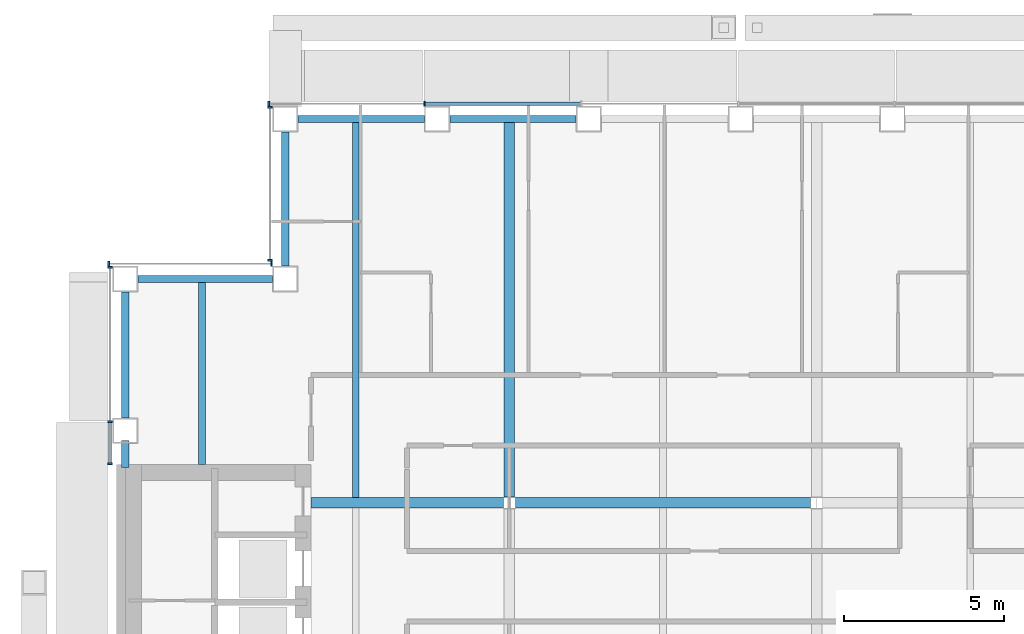
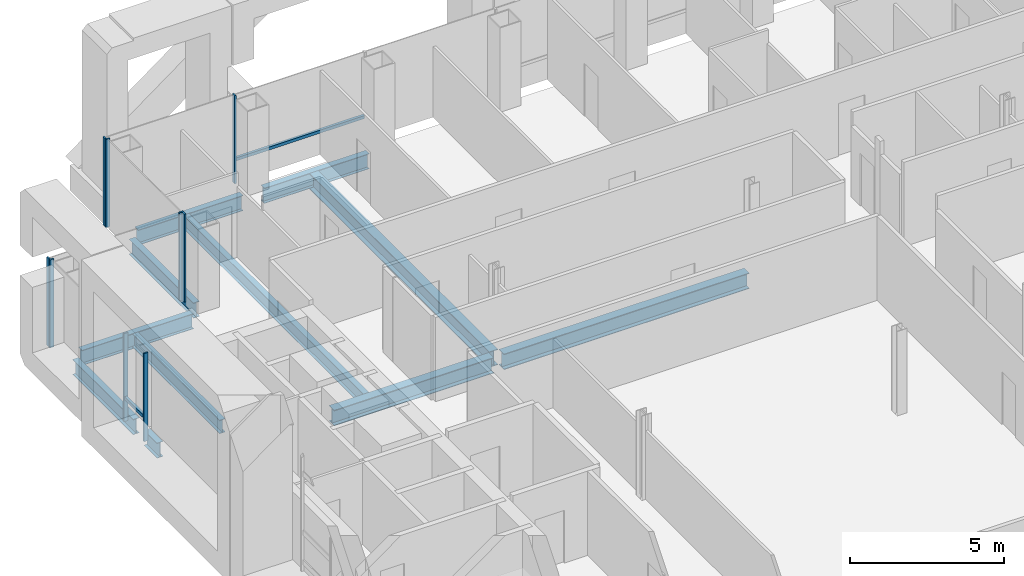
# One storey, part 8 of 22: 11 beams, 11 members, 4 elements without a shape of their own.
"""IFC4 building model written with IfcOpenShell, lengths in metres."""

from ifc_helpers import new_model, si_unit, direction, frame, origin, origin_2d, place, context, subcontext, project, spatial, rectangle, i_section, extrude, material, material_profile, profile_set, type_object, element, aggregate, save


model = new_model("IFC4")

# Units and contexts
model_context = context("Model", 3, precision=1e-05, world=origin(), true_north=direction((0.0, 1.0)))
body_context = subcontext(model_context, "Body", "Model", "MODEL_VIEW")
ifc_project = project(units=[si_unit("LENGTHUNIT", "METRE"), si_unit("AREAUNIT", "SQUARE_METRE"), si_unit("VOLUMEUNIT", "CUBIC_METRE"), si_unit("PLANEANGLEUNIT", "RADIAN"), si_unit("MASSUNIT", "GRAM", prefix="KILO")], contexts=[model_context])

# Site, building, storey
site_placement = place(None, origin())
site = spatial("IfcSite", under=ifc_project, at=site_placement, CompositionType="ELEMENT")
building_placement = place(site_placement, origin())
building = spatial("IfcBuilding", under=site, at=building_placement, Name="Cobrizo Arcos Hotel Tower", CompositionType="ELEMENT")
storey_placement = place(building_placement, frame((0.0, 0.0, 162.0)))
storey = spatial("IfcBuildingStorey", under=building, at=storey_placement, Name="L41", CompositionType="ELEMENT", Elevation=162.0)

# Curtain wall, members
ifc_material_1 = material(Name="Aluminium 6063-T6 anodised bronze", Category="aluminium")
curtain_wall_type = type_object("IfcCurtainWallType", Name="CW-A guest facade", PredefinedType="NOTDEFINED", material=ifc_material_1)
curtain_wall_1_placement = place(storey_placement, origin())
curtain_wall_1 = element("IfcCurtainWall", 1, at=curtain_wall_1_placement, inside=storey, type_object=curtain_wall_type, Name="CW-A L41 N face", PredefinedType="NOTDEFINED")
ifc_material_profile_1 = material_profile(ifc_material_1, rectangle(XDim=0.14990234375, YDim=0.06005859375, at=origin_2d()), Name="CW-A mullion 150x60")
ifc_profile_set_1 = profile_set([ifc_material_profile_1], Name="Aluminium 6063-T6 anodised bronze")
member_type_1 = type_object("IfcMemberType", Name="CW-A mullion 150x60", PredefinedType="MULLION", material=ifc_profile_set_1)
member_1_placement = place(storey_placement, frame((-12.25, 22.074951171875, 0.0), z_axis=(0.0, 0.0, 1.0), x_axis=(0.0, 1.0, 0.0)))
member_1 = element("IfcMember", 2, at=member_1_placement, type_object=member_type_1, Name="CW-A mullion 7", PredefinedType="MULLION", context=body_context, shape_type="SweptSolid", body=[
    extrude(rectangle(XDim=0.14990234375, YDim=0.06005859375, at=origin_2d()), origin(), (0.0, 0.0, 1.0), 3.5),
])
member_2_placement = place(storey_placement, frame((-17.1201171875, 22.074951171875, 0.0), z_axis=(0.0, 0.0, 1.0), x_axis=(0.0, 1.0, 0.0)))
member_2 = element("IfcMember", 3, at=member_2_placement, type_object=member_type_1, Name="CW-A mullion 8", PredefinedType="MULLION", context=body_context, shape_type="SweptSolid", body=[
    extrude(rectangle(XDim=0.14990234375, YDim=0.06005859375, at=origin_2d()), origin(), (0.0, 0.0, 1.0), 3.5),
])

curtain_wall_2_placement = place(storey_placement, origin())
curtain_wall_2 = element("IfcCurtainWall", 4, at=curtain_wall_2_placement, inside=storey, type_object=curtain_wall_type, Name="CW-A L41 W face", PredefinedType="NOTDEFINED")
member_3_placement = place(storey_placement, frame((-17.074951171875, 21.969970703125, 0.0), z_axis=(0.0, 0.0, 1.0), x_axis=(-1.0, 0.0, 0.0)))
member_3 = element("IfcMember", 5, at=member_3_placement, type_object=member_type_1, Name="CW-A mullion 1", PredefinedType="MULLION", context=body_context, shape_type="SweptSolid", body=[
    extrude(rectangle(XDim=0.14990234375, YDim=0.06005859375, at=origin_2d()), origin(), (0.0, 0.0, 1.0), 3.5),
])
member_4_placement = place(storey_placement, frame((-17.074951171875, 17.179931640625, 0.0), z_axis=(0.0, 0.0, 1.0), x_axis=(-1.0, 0.0, 0.0)))
member_4 = element("IfcMember", 6, at=member_4_placement, type_object=member_type_1, Name="CW-A mullion 2", PredefinedType="MULLION", context=body_context, shape_type="SweptSolid", body=[
    extrude(rectangle(XDim=0.14990234375, YDim=0.06005859375, at=origin_2d()), origin(), (0.0, 0.0, 1.0), 3.5),
])
aggregate(curtain_wall_2, [member_3, member_4])

curtain_wall_3_placement = place(storey_placement, origin())
curtain_wall_3 = element("IfcCurtainWall", 7, at=curtain_wall_3_placement, inside=storey, type_object=curtain_wall_type, Name="CW-A L41 N face", PredefinedType="NOTDEFINED")
member_5_placement = place(storey_placement, frame((-17.030029296875, 17.074951171875, 0.0), z_axis=(0.0, 0.0, 1.0), x_axis=(0.0, 1.0, 0.0)))
member_5 = element("IfcMember", 8, at=member_5_placement, type_object=member_type_1, Name="CW-A mullion 1", PredefinedType="MULLION", context=body_context, shape_type="SweptSolid", body=[
    extrude(rectangle(XDim=0.14990234375, YDim=0.06005859375, at=origin_2d()), origin(), (0.0, 0.0, 1.0), 3.5),
])
member_6_placement = place(storey_placement, frame((-22.1201171875, 17.074951171875, 0.0), z_axis=(0.0, 0.0, 1.0), x_axis=(0.0, 1.0, 0.0)))
member_6 = element("IfcMember", 9, at=member_6_placement, type_object=member_type_1, Name="CW-A mullion 2", PredefinedType="MULLION", context=body_context, shape_type="SweptSolid", body=[
    extrude(rectangle(XDim=0.14990234375, YDim=0.06005859375, at=origin_2d()), origin(), (0.0, 0.0, 1.0), 3.5),
])
aggregate(curtain_wall_3, [member_5, member_6])

curtain_wall_4_placement = place(storey_placement, origin())
curtain_wall_4 = element("IfcCurtainWall", 10, at=curtain_wall_4_placement, inside=storey, type_object=curtain_wall_type, Name="CW-A L41 W face", PredefinedType="NOTDEFINED")
member_7_placement = place(storey_placement, frame((-22.074951171875, 16.969970703125, 0.0), z_axis=(0.0, 0.0, 1.0), x_axis=(-1.0, 0.0, 0.0)))
member_7 = element("IfcMember", 11, at=member_7_placement, type_object=member_type_1, Name="CW-A mullion 1", PredefinedType="MULLION", context=body_context, shape_type="SweptSolid", body=[
    extrude(rectangle(XDim=0.14990234375, YDim=0.06005859375, at=origin_2d()), origin(), (0.0, 0.0, 1.0), 3.5),
])
member_8_placement = place(storey_placement, frame((-22.074951171875, 12.142822265625, 0.0), z_axis=(0.0, 0.0, 1.0), x_axis=(-1.0, 0.0, 0.0)))
member_8 = element("IfcMember", 12, at=member_8_placement, type_object=member_type_1, Name="CW-A mullion 2", PredefinedType="MULLION", context=body_context, shape_type="SweptSolid", body=[
    extrude(rectangle(XDim=0.14990234375, YDim=0.06005859375, at=origin_2d()), origin(), (0.0, 0.0, 1.0), 3.5),
])
member_9_placement = place(storey_placement, frame((-22.074951171875, 10.830078125, 0.0), z_axis=(0.0, 0.0, 1.0), x_axis=(-1.0, 0.0, 0.0)))
member_9 = element("IfcMember", 13, at=member_9_placement, type_object=member_type_1, Name="CW-A mullion 3", PredefinedType="MULLION", context=body_context, shape_type="SweptSolid", body=[
    extrude(rectangle(XDim=0.14990234375, YDim=0.06005859375, at=origin_2d()), origin(), (0.0, 0.0, 1.0), 3.5),
])

# Member
ifc_material_profile_2 = material_profile(ifc_material_1, rectangle(XDim=0.10009765625, YDim=0.1201171875, at=origin_2d()), Name="CW-A transom 120x100")
ifc_profile_set_2 = profile_set([ifc_material_profile_2], Name="Aluminium 6063-T6 anodised bronze")
member_type_2 = type_object("IfcMemberType", Name="CW-A transom 120x100", PredefinedType="USERDEFINED", material=ifc_profile_set_2)
member_10_placement = place(storey_placement, frame((-7.3798828125, 22.074951171875, 0.929931640625), z_axis=(-1.0, 0.0, 0.0), x_axis=(0.0, -1.0, 0.0)))
member_10 = element("IfcMember", 14, at=member_10_placement, type_object=member_type_2, Name="CW-A transom 1476", ObjectType="TRANSOM", PredefinedType="USERDEFINED", context=body_context, shape_type="SweptSolid", body=[
    extrude(rectangle(XDim=0.10009765625, YDim=0.1201171875, at=origin_2d()), origin(), (0.0, 0.0, 1.0), 4.840087890625),
])

aggregate(curtain_wall_1, [member_1, member_2, member_10])

member_11_placement = place(storey_placement, frame((-22.074951171875, 12.11279296875, 0.929931640625), z_axis=(0.0, -1.0, 0.0), x_axis=(1.0, 0.0, 0.0)))
member_11 = element("IfcMember", 15, at=member_11_placement, type_object=member_type_2, Name="CW-A transom 1481", ObjectType="TRANSOM", PredefinedType="USERDEFINED", context=body_context, shape_type="SweptSolid", body=[
    extrude(rectangle(XDim=0.10009765625, YDim=0.1201171875, at=origin_2d()), origin(), (0.0, 0.0, 1.0), 1.252685546875),
])

aggregate(curtain_wall_4, [member_7, member_8, member_9, member_11])

# Beams
ifc_material_2 = material(Name="Steel ASTM A992 Grade 50", Category="steel")
ifc_material_profile_3 = material_profile(ifc_material_2, i_section(OverallWidth=0.209228515625, OverallDepth=0.533447265625, WebThickness=0.01025390625, FlangeThickness=0.015625, at=origin_2d()), Name="W21X62")
ifc_profile_set_3 = profile_set([ifc_material_profile_3], Name="Steel ASTM A992 Grade 50")
beam_type_1 = type_object("IfcBeamType", Name="W21X62 joist", PredefinedType="JOIST", material=ifc_profile_set_3)
beam_1_placement = place(storey_placement, frame((-19.199951171875, 10.81005859375, -0.416748046875), z_axis=(0.0, 1.0, 0.0), x_axis=(-1.0, 0.0, 0.0)))
element("IfcBeam", 16, at=beam_1_placement, inside=storey, type_object=beam_type_1, Name="Floor joist J1, L41, no. 002", PredefinedType="JOIST", context=body_context, shape_type="SweptSolid", body=[
    extrude(i_section(OverallWidth=0.209228515625, OverallDepth=0.533447265625, WebThickness=0.01025390625, FlangeThickness=0.015625, at=origin_2d()), origin(), (0.0, 0.0, 1.0), 5.699951171875),
])
beam_2_placement = place(storey_placement, frame((-14.39990234375, 9.763916015625, -0.416748046875), z_axis=(0.0, 1.0, 0.0), x_axis=(-1.0, 0.0, 0.0)))
element("IfcBeam", 17, at=beam_2_placement, inside=storey, type_object=beam_type_1, Name="Floor joist J1, L41, no. 006", PredefinedType="JOIST", context=body_context, shape_type="SweptSolid", body=[
    extrude(i_section(OverallWidth=0.209228515625, OverallDepth=0.533447265625, WebThickness=0.01025390625, FlangeThickness=0.015625, at=origin_2d()), origin(), (0.0, 0.0, 1.0), 11.74609375),
])
ifc_material_profile_4 = material_profile(ifc_material_2, i_section(OverallWidth=0.32763671875, OverallDepth=0.622314453125, WebThickness=0.015380859375, FlangeThickness=0.0244140625, at=origin_2d()), Name="W24X131")
ifc_profile_set_4 = profile_set([ifc_material_profile_4], Name="Steel ASTM A992 Grade 50")
beam_type_2 = type_object("IfcBeamType", Name="W24X131 girder", PredefinedType="BEAM", material=ifc_profile_set_4)
beam_3_placement = place(storey_placement, frame((-15.7900390625, 9.60009765625, -0.461181640625), z_axis=(1.0, 0.0, 0.0), x_axis=(0.0, 1.0, 0.0)))
element("IfcBeam", 18, at=beam_3_placement, inside=storey, type_object=beam_type_2, Name="Floor girder G1, L41, no. 009", PredefinedType="BEAM", context=body_context, shape_type="SweptSolid", body=[
    extrude(i_section(OverallWidth=0.32763671875, OverallDepth=0.622314453125, WebThickness=0.015380859375, FlangeThickness=0.0244140625, at=origin_2d()), origin(), (0.0, 0.0, 1.0), 6.00341796875),
])
beam_4_placement = place(storey_placement, frame((-9.413330078125, 9.60009765625, -0.461181640625), z_axis=(1.0, 0.0, 0.0), x_axis=(0.0, 1.0, 0.0)))
element("IfcBeam", 19, at=beam_4_placement, inside=storey, type_object=beam_type_2, Name="Floor girder G1, L41, no. 010", PredefinedType="BEAM", context=body_context, shape_type="SweptSolid", body=[
    extrude(i_section(OverallWidth=0.32763671875, OverallDepth=0.622314453125, WebThickness=0.015380859375, FlangeThickness=0.0244140625, at=origin_2d()), origin(), (0.0, 0.0, 1.0), 9.2265625),
])
beam_5_placement = place(storey_placement, frame((-9.60009765625, 9.78662109375, -0.461181640625), z_axis=(0.0, 1.0, 0.0), x_axis=(-1.0, 0.0, 0.0)))
element("IfcBeam", 20, at=beam_5_placement, inside=storey, type_object=beam_type_2, Name="Floor girder G1, L41, no. 016", PredefinedType="BEAM", context=body_context, shape_type="SweptSolid", body=[
    extrude(i_section(OverallWidth=0.32763671875, OverallDepth=0.622314453125, WebThickness=0.015380859375, FlangeThickness=0.0244140625, at=origin_2d()), origin(), (0.0, 0.0, 1.0), 11.723388671875),
])
ifc_material_profile_5 = material_profile(ifc_material_2, i_section(OverallWidth=0.228271484375, OverallDepth=0.607177734375, WebThickness=0.01123046875, FlangeThickness=0.017333984375, at=origin_2d()), Name="W24X76")
ifc_profile_set_5 = profile_set([ifc_material_profile_5], Name="Steel ASTM A992 Grade 50")
beam_type_3 = type_object("IfcBeamType", Name="W24X76 spandrel", PredefinedType="SPANDREL", material=ifc_profile_set_5)
beam_6_placement = place(storey_placement, frame((-7.513916015625, 21.60009765625, -0.45361328125), z_axis=(-1.0, 0.0, 0.0), x_axis=(0.0, -1.0, 0.0)))
element("IfcBeam", 21, at=beam_6_placement, inside=storey, type_object=beam_type_3, Name="Spandrel beam W24X76, L41, no. 021", PredefinedType="SPANDREL", context=body_context, shape_type="SweptSolid", body=[
    extrude(i_section(OverallWidth=0.228271484375, OverallDepth=0.607177734375, WebThickness=0.01123046875, FlangeThickness=0.017333984375, at=origin_2d()), origin(), (0.0, 0.0, 1.0), 3.943115234375),
])
beam_7_placement = place(storey_placement, frame((-12.257080078125, 21.60009765625, -0.45361328125), z_axis=(-1.0, 0.0, 0.0), x_axis=(0.0, -1.0, 0.0)))
element("IfcBeam", 22, at=beam_7_placement, inside=storey, type_object=beam_type_3, Name="Spandrel beam W24X76, L41, no. 022", PredefinedType="SPANDREL", context=body_context, shape_type="SweptSolid", body=[
    extrude(i_section(OverallWidth=0.228271484375, OverallDepth=0.607177734375, WebThickness=0.01123046875, FlangeThickness=0.017333984375, at=origin_2d()), origin(), (0.0, 0.0, 1.0), 3.94287109375),
])
for number, where, z_axis, x_axis, name in (
    (23, (-16.60009765625, 21.199951171875, -0.45361328125), (0.0, -1.0, 0.0), (1.0, 0.0, 0.0), "Spandrel beam W24X76, L41, no. 023"),
    (24, (-17.0, 16.60009765625, -0.45361328125), (-1.0, 0.0, 0.0), (0.0, -1.0, 0.0), "Spandrel beam W24X76, L41, no. 024"),
):
    element("IfcBeam", number, at=place(storey_placement, frame(where, z_axis=z_axis, x_axis=x_axis)), inside=storey, type_object=beam_type_3, Name=name, PredefinedType="SPANDREL", context=body_context, shape_type="SweptSolid", body=[
        extrude(i_section(OverallWidth=0.228271484375, OverallDepth=0.607177734375, WebThickness=0.01123046875, FlangeThickness=0.017333984375, at=origin_2d()), origin(), (0.0, 0.0, 1.0), 4.199951171875),
    ])
beam_8_placement = place(storey_placement, frame((-21.60009765625, 16.199951171875, -0.45361328125), z_axis=(0.0, -1.0, 0.0), x_axis=(1.0, 0.0, 0.0)))
element("IfcBeam", 25, at=beam_8_placement, inside=storey, type_object=beam_type_3, Name="Spandrel beam W24X76, L41, no. 025", PredefinedType="SPANDREL", context=body_context, shape_type="SweptSolid", body=[
    extrude(i_section(OverallWidth=0.228271484375, OverallDepth=0.607177734375, WebThickness=0.01123046875, FlangeThickness=0.017333984375, at=origin_2d()), origin(), (0.0, 0.0, 1.0), 3.94287109375),
])
beam_9_placement = place(storey_placement, frame((-21.60009765625, 11.556884765625, -0.45361328125), z_axis=(0.0, -1.0, 0.0), x_axis=(1.0, 0.0, 0.0)))
element("IfcBeam", 26, at=beam_9_placement, inside=storey, type_object=beam_type_3, Name="Spandrel beam W24X76, L41, no. 026", PredefinedType="SPANDREL", context=body_context, shape_type="SweptSolid", body=[
    extrude(i_section(OverallWidth=0.228271484375, OverallDepth=0.607177734375, WebThickness=0.01123046875, FlangeThickness=0.017333984375, at=origin_2d()), origin(), (0.0, 0.0, 1.0), 0.846923828125),
])

save(model, "model.ifc")
